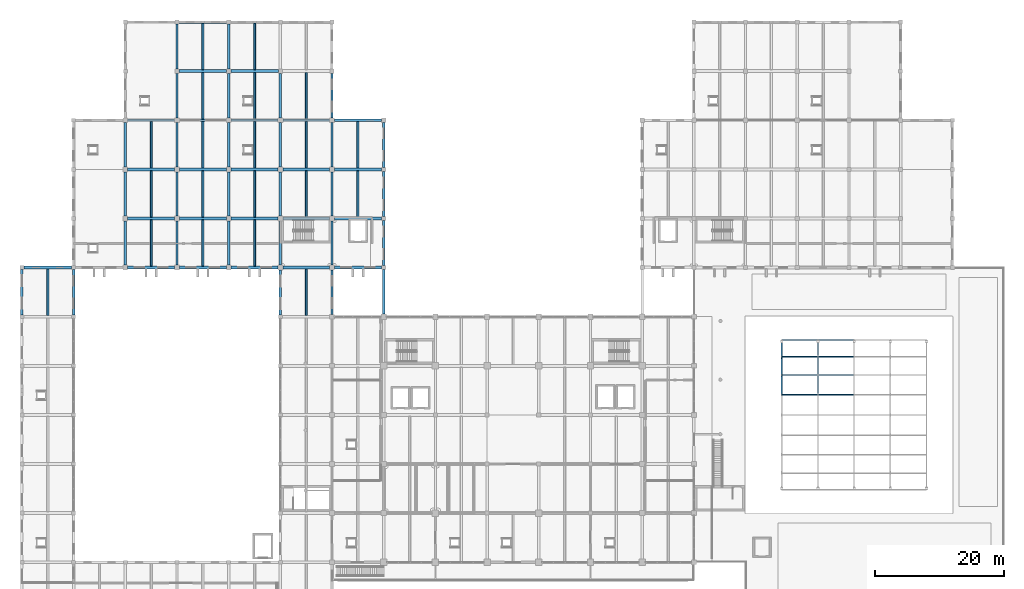
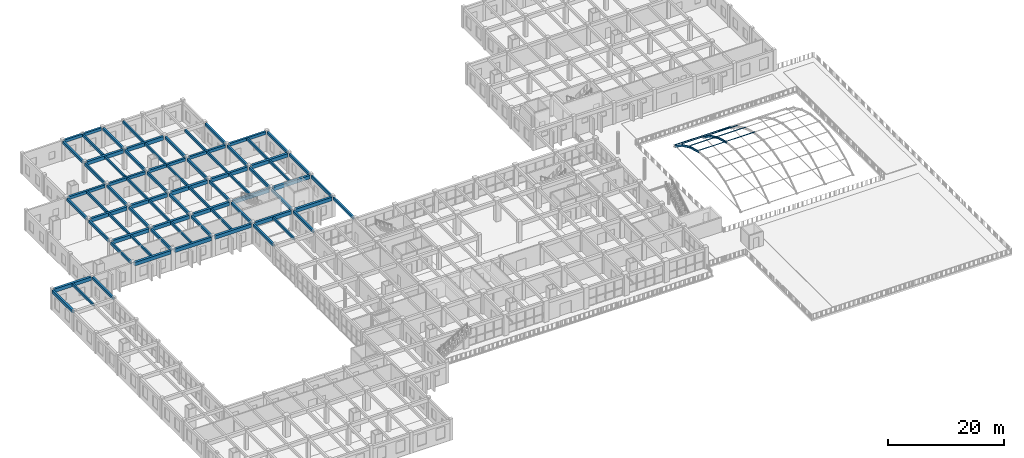
# One storey, part 39 of 79: 79 beams, 8 members.
"""IFC4 building model written with IfcOpenShell, lengths in metres."""

from ifc_helpers import new_model, si_unit, direction, frame, origin, origin_2d, place, context, subcontext, project, spatial, rectangle, hollow_rectangle, i_section, extrude, material, material_profile, profile_set, type_object, element, save


model = new_model("IFC4")

# Units and contexts
model_context = context("Model", 3, precision=1e-05, world=origin(), true_north=direction((0.0, 1.0)))
body_context = subcontext(model_context, "Body", "Model", "MODEL_VIEW")
ifc_project = project(units=[si_unit("LENGTHUNIT", "METRE"), si_unit("AREAUNIT", "SQUARE_METRE"), si_unit("VOLUMEUNIT", "CUBIC_METRE"), si_unit("PLANEANGLEUNIT", "RADIAN"), si_unit("MASSUNIT", "GRAM", prefix="KILO")], contexts=[model_context])

# Site, building, storey
site_placement = place(None, origin())
site = spatial("IfcSite", under=ifc_project, at=site_placement, CompositionType="ELEMENT")
building_placement = place(site_placement, origin())
building = spatial("IfcBuilding", under=site, at=building_placement, Name="Zantavel Square City Hall", CompositionType="ELEMENT")
storey_placement = place(building_placement, frame((0.0, 0.0, 10.199951171875)))
storey = spatial("IfcBuildingStorey", under=building, at=storey_placement, Name="L03", CompositionType="ELEMENT", Elevation=10.199951171875)

# Beams
ifc_material_1 = material(Name="Concrete C35/45", Category="concrete")
ifc_material_profile_1 = material_profile(ifc_material_1, rectangle(XDim=0.300048828125, YDim=0.5, at=origin_2d()), Name="RC 300x500")
ifc_profile_set_1 = profile_set([ifc_material_profile_1], Name="Concrete C35/45")
beam_type_1 = type_object("IfcBeamType", Name="Floor Joist RC 300x500 C35/45", PredefinedType="JOIST", material=ifc_profile_set_1)
for number, where, z_axis, x_axis, name in (
    (1, (12.0, 68.625, 3.969970703125), (0.0, 1.0, 0.0), (-1.0, 0.0, 0.0), "L03 Floor Joist JST-L03-0120-0684"),
    (2, (28.0, 76.22509765625, 3.969970703125), (0.0, 1.0, 0.0), (-1.0, 0.0, 0.0), "L03 Floor Joist JST-L03-0280-0760"),
):
    element("IfcBeam", number, at=place(storey_placement, frame(where, z_axis=z_axis, x_axis=x_axis)), inside=storey, type_object=beam_type_1, Name=name, PredefinedType="JOIST", context=body_context, shape_type="SweptSolid", body=[
        extrude(rectangle(XDim=0.300048828125, YDim=0.5, at=origin_2d()), origin(), (0.0, 0.0, 1.0), 7.14990234375),
    ])
beam_1_placement = place(storey_placement, frame((28.0, 83.824951171875, 3.969970703125), z_axis=(0.0, 1.0, 0.0), x_axis=(-1.0, 0.0, 0.0)))
element("IfcBeam", 3, at=beam_1_placement, inside=storey, type_object=beam_type_1, Name="L03 Floor Joist JST-L03-0280-0836", PredefinedType="JOIST", context=body_context, shape_type="SweptSolid", body=[
    extrude(rectangle(XDim=0.300048828125, YDim=0.5, at=origin_2d()), origin(), (0.0, 0.0, 1.0), 7.150146484375),
])
beam_2_placement = place(storey_placement, frame((28.0, 91.425048828125, 3.969970703125), z_axis=(0.0, 1.0, 0.0), x_axis=(-1.0, 0.0, 0.0)))
element("IfcBeam", 4, at=beam_2_placement, inside=storey, type_object=beam_type_1, Name="L03 Floor Joist JST-L03-0280-0912", PredefinedType="JOIST", context=body_context, shape_type="SweptSolid", body=[
    extrude(rectangle(XDim=0.300048828125, YDim=0.5, at=origin_2d()), origin(), (0.0, 0.0, 1.0), 7.175048828125),
])
beam_3_placement = place(storey_placement, frame((36.0, 76.22509765625, 3.969970703125), z_axis=(0.0, 1.0, 0.0), x_axis=(-1.0, 0.0, 0.0)))
element("IfcBeam", 5, at=beam_3_placement, inside=storey, type_object=beam_type_1, Name="L03 Floor Joist JST-L03-0360-0760", PredefinedType="JOIST", context=body_context, shape_type="SweptSolid", body=[
    extrude(rectangle(XDim=0.300048828125, YDim=0.5, at=origin_2d()), origin(), (0.0, 0.0, 1.0), 7.14990234375),
])
beam_4_placement = place(storey_placement, frame((36.0, 83.824951171875, 3.969970703125), z_axis=(0.0, 1.0, 0.0), x_axis=(-1.0, 0.0, 0.0)))
element("IfcBeam", 6, at=beam_4_placement, inside=storey, type_object=beam_type_1, Name="L03 Floor Joist JST-L03-0360-0836", PredefinedType="JOIST", context=body_context, shape_type="SweptSolid", body=[
    extrude(rectangle(XDim=0.300048828125, YDim=0.5, at=origin_2d()), origin(), (0.0, 0.0, 1.0), 7.150146484375),
])
for number, where, z_axis, x_axis, name in (
    (7, (36.0, 91.425048828125, 3.969970703125), (0.0, 1.0, 0.0), (-1.0, 0.0, 0.0), "L03 Floor Joist JST-L03-0360-0912"),
    (8, (36.0, 99.0, 3.969970703125), (0.0, 1.0, 0.0), (-1.0, 0.0, 0.0), "L03 Floor Joist JST-L03-0360-0988"),
    (9, (36.0, 106.625, 3.969970703125), (0.0, 1.0, 0.0), (-1.0, 0.0, 0.0), "L03 Floor Joist JST-L03-0360-1064"),
):
    element("IfcBeam", number, at=place(storey_placement, frame(where, z_axis=z_axis, x_axis=x_axis)), inside=storey, type_object=beam_type_1, Name=name, PredefinedType="JOIST", context=body_context, shape_type="SweptSolid", body=[
        extrude(rectangle(XDim=0.300048828125, YDim=0.5, at=origin_2d()), origin(), (0.0, 0.0, 1.0), 7.175048828125),
    ])
beam_5_placement = place(storey_placement, frame((44.0, 76.22509765625, 3.969970703125), z_axis=(0.0, 1.0, 0.0), x_axis=(-1.0, 0.0, 0.0)))
element("IfcBeam", 10, at=beam_5_placement, inside=storey, type_object=beam_type_1, Name="L03 Floor Joist JST-L03-0440-0760", PredefinedType="JOIST", context=body_context, shape_type="SweptSolid", body=[
    extrude(rectangle(XDim=0.300048828125, YDim=0.5, at=origin_2d()), origin(), (0.0, 0.0, 1.0), 7.14990234375),
])
beam_6_placement = place(storey_placement, frame((44.0, 83.824951171875, 3.969970703125), z_axis=(0.0, 1.0, 0.0), x_axis=(-1.0, 0.0, 0.0)))
element("IfcBeam", 11, at=beam_6_placement, inside=storey, type_object=beam_type_1, Name="L03 Floor Joist JST-L03-0440-0836", PredefinedType="JOIST", context=body_context, shape_type="SweptSolid", body=[
    extrude(rectangle(XDim=0.300048828125, YDim=0.5, at=origin_2d()), origin(), (0.0, 0.0, 1.0), 7.150146484375),
])
for number, where, z_axis, x_axis, name in (
    (12, (44.0, 91.425048828125, 3.969970703125), (0.0, 1.0, 0.0), (-1.0, 0.0, 0.0), "L03 Floor Joist JST-L03-0440-0912"),
    (13, (44.0, 99.0, 3.969970703125), (0.0, 1.0, 0.0), (-1.0, 0.0, 0.0), "L03 Floor Joist JST-L03-0440-0988"),
    (14, (44.0, 106.625, 3.969970703125), (0.0, 1.0, 0.0), (-1.0, 0.0, 0.0), "L03 Floor Joist JST-L03-0440-1064"),
):
    element("IfcBeam", number, at=place(storey_placement, frame(where, z_axis=z_axis, x_axis=x_axis)), inside=storey, type_object=beam_type_1, Name=name, PredefinedType="JOIST", context=body_context, shape_type="SweptSolid", body=[
        extrude(rectangle(XDim=0.300048828125, YDim=0.5, at=origin_2d()), origin(), (0.0, 0.0, 1.0), 7.175048828125),
    ])
beam_7_placement = place(storey_placement, frame((52.0, 68.625, 3.969970703125), z_axis=(0.0, 1.0, 0.0), x_axis=(-1.0, 0.0, 0.0)))
element("IfcBeam", 15, at=beam_7_placement, inside=storey, type_object=beam_type_1, Name="L03 Floor Joist JST-L03-0520-0684", PredefinedType="JOIST", context=body_context, shape_type="SweptSolid", body=[
    extrude(rectangle(XDim=0.300048828125, YDim=0.5, at=origin_2d()), origin(), (0.0, 0.0, 1.0), 7.14990234375),
])
beam_8_placement = place(storey_placement, frame((52.0, 83.824951171875, 3.969970703125), z_axis=(0.0, 1.0, 0.0), x_axis=(-1.0, 0.0, 0.0)))
element("IfcBeam", 16, at=beam_8_placement, inside=storey, type_object=beam_type_1, Name="L03 Floor Joist JST-L03-0520-0836", PredefinedType="JOIST", context=body_context, shape_type="SweptSolid", body=[
    extrude(rectangle(XDim=0.300048828125, YDim=0.5, at=origin_2d()), origin(), (0.0, 0.0, 1.0), 7.150146484375),
])
for number, where, z_axis, x_axis, name in (
    (17, (52.0, 91.425048828125, 3.969970703125), (0.0, 1.0, 0.0), (-1.0, 0.0, 0.0), "L03 Floor Joist JST-L03-0520-0912"),
    (18, (52.0, 99.0, 3.969970703125), (0.0, 1.0, 0.0), (-1.0, 0.0, 0.0), "L03 Floor Joist JST-L03-0520-0988"),
):
    element("IfcBeam", number, at=place(storey_placement, frame(where, z_axis=z_axis, x_axis=x_axis)), inside=storey, type_object=beam_type_1, Name=name, PredefinedType="JOIST", context=body_context, shape_type="SweptSolid", body=[
        extrude(rectangle(XDim=0.300048828125, YDim=0.5, at=origin_2d()), origin(), (0.0, 0.0, 1.0), 7.175048828125),
    ])
beam_9_placement = place(storey_placement, frame((60.0, 83.824951171875, 3.969970703125), z_axis=(0.0, 1.0, 0.0), x_axis=(-1.0, 0.0, 0.0)))
element("IfcBeam", 19, at=beam_9_placement, inside=storey, type_object=beam_type_1, Name="L03 Floor Joist JST-L03-0600-0836", PredefinedType="JOIST", context=body_context, shape_type="SweptSolid", body=[
    extrude(rectangle(XDim=0.300048828125, YDim=0.5, at=origin_2d()), origin(), (0.0, 0.0, 1.0), 7.150146484375),
])
beam_10_placement = place(storey_placement, frame((60.0, 91.425048828125, 3.969970703125), z_axis=(0.0, 1.0, 0.0), x_axis=(-1.0, 0.0, 0.0)))
element("IfcBeam", 20, at=beam_10_placement, inside=storey, type_object=beam_type_1, Name="L03 Floor Joist JST-L03-0600-0912", PredefinedType="JOIST", context=body_context, shape_type="SweptSolid", body=[
    extrude(rectangle(XDim=0.300048828125, YDim=0.5, at=origin_2d()), origin(), (0.0, 0.0, 1.0), 7.175048828125),
])
ifc_material_profile_2 = material_profile(ifc_material_1, rectangle(XDim=0.39990234375, YDim=0.60009765625, at=origin_2d()), Name="RC 400x600")
ifc_profile_set_2 = profile_set([ifc_material_profile_2], Name="Concrete C35/45")
beam_type_2 = type_object("IfcBeamType", Name="Perimeter Spandrel RC 400x600 C35/45", PredefinedType="SPANDREL", material=ifc_profile_set_2)
beam_11_placement = place(storey_placement, frame((8.0, 68.699951171875, 3.920166015625), z_axis=(0.0, 1.0, 0.0), x_axis=(-1.0, 0.0, 0.0)))
element("IfcBeam", 21, at=beam_11_placement, inside=storey, type_object=beam_type_2, Name="L03 Beam BMY-L03-0080-0684", PredefinedType="SPANDREL", context=body_context, shape_type="SweptSolid", body=[
    extrude(rectangle(XDim=0.39990234375, YDim=0.60009765625, at=origin_2d()), origin(), (0.0, 0.0, 1.0), 7.0),
])
for number, where, z_axis, x_axis, name in (
    (22, (24.375, 98.800048828125, 3.920166015625), (1.0, 0.0, 0.0), (0.0, 1.0, 0.0), "L03 Girder BMX-L03-0240-0988"),
    (23, (32.375, 98.800048828125, 3.920166015625), (1.0, 0.0, 0.0), (0.0, 1.0, 0.0), "L03 Girder BMX-L03-0320-0988"),
):
    element("IfcBeam", number, at=place(storey_placement, frame(where, z_axis=z_axis, x_axis=x_axis)), inside=storey, type_object=beam_type_2, Name=name, PredefinedType="SPANDREL", context=body_context, shape_type="SweptSolid", body=[
        extrude(rectangle(XDim=0.39990234375, YDim=0.60009765625, at=origin_2d()), origin(), (0.0, 0.0, 1.0), 7.25),
    ])
beam_12_placement = place(storey_placement, frame((32.324951171875, 114.0, 3.920166015625), z_axis=(1.0, 0.0, 0.0), x_axis=(0.0, 1.0, 0.0)))
element("IfcBeam", 24, at=beam_12_placement, inside=storey, type_object=beam_type_2, Name="L03 Girder BMX-L03-0320-1140", PredefinedType="SPANDREL", context=body_context, shape_type="SweptSolid", body=[
    extrude(rectangle(XDim=0.39990234375, YDim=0.60009765625, at=origin_2d()), origin(), (0.0, 0.0, 1.0), 7.35009765625),
])
for number, where, z_axis, x_axis, name in (
    (25, (40.375, 98.800048828125, 3.920166015625), (1.0, 0.0, 0.0), (0.0, 1.0, 0.0), "L03 Girder BMX-L03-0400-0988"),
    (26, (48.375, 98.800048828125, 3.920166015625), (1.0, 0.0, 0.0), (0.0, 1.0, 0.0), "L03 Girder BMX-L03-0480-0988"),
):
    element("IfcBeam", number, at=place(storey_placement, frame(where, z_axis=z_axis, x_axis=x_axis)), inside=storey, type_object=beam_type_2, Name=name, PredefinedType="SPANDREL", context=body_context, shape_type="SweptSolid", body=[
        extrude(rectangle(XDim=0.39990234375, YDim=0.60009765625, at=origin_2d()), origin(), (0.0, 0.0, 1.0), 7.25),
    ])
beam_13_placement = place(storey_placement, frame((56.375, 98.800048828125, 3.920166015625), z_axis=(1.0, 0.0, 0.0), x_axis=(0.0, 1.0, 0.0)))
element("IfcBeam", 27, at=beam_13_placement, inside=storey, type_object=beam_type_2, Name="L03 Girder BMX-L03-0560-0988", PredefinedType="SPANDREL", context=body_context, shape_type="SweptSolid", body=[
    extrude(rectangle(XDim=0.39990234375, YDim=0.60009765625, at=origin_2d()), origin(), (0.0, 0.0, 1.0), 7.300048828125),
])
ifc_material_profile_3 = material_profile(ifc_material_1, rectangle(XDim=0.449951171875, YDim=0.75, at=origin_2d()), Name="RC 450x750")
ifc_profile_set_3 = profile_set([ifc_material_profile_3], Name="Concrete C35/45")
beam_type_3 = type_object("IfcBeamType", Name="Primary Girder RC 450x750 C35/45", PredefinedType="BEAM", material=ifc_profile_set_3)
beam_14_placement = place(storey_placement, frame((8.300048828125, 76.0, 3.844970703125), z_axis=(1.0, 0.0, 0.0), x_axis=(0.0, 1.0, 0.0)))
element("IfcBeam", 28, at=beam_14_placement, inside=storey, type_object=beam_type_3, Name="L03 Girder BMX-L03-0080-0760", PredefinedType="BEAM", context=body_context, shape_type="SweptSolid", body=[
    extrude(rectangle(XDim=0.449951171875, YDim=0.75, at=origin_2d()), origin(), (0.0, 0.0, 1.0), 7.39990234375),
])
for number, where, z_axis, x_axis, name in (
    (29, (24.375, 76.0, 3.844970703125), (1.0, 0.0, 0.0), (0.0, 1.0, 0.0), "L03 Girder BMX-L03-0240-0760"),
    (30, (24.375, 83.60009765625, 3.844970703125), (1.0, 0.0, 0.0), (0.0, 1.0, 0.0), "L03 Girder BMX-L03-0240-0836"),
    (31, (24.375, 91.199951171875, 3.844970703125), (1.0, 0.0, 0.0), (0.0, 1.0, 0.0), "L03 Girder BMX-L03-0240-0912"),
    (32, (32.375, 76.0, 3.844970703125), (1.0, 0.0, 0.0), (0.0, 1.0, 0.0), "L03 Girder BMX-L03-0320-0760"),
    (33, (32.375, 83.60009765625, 3.844970703125), (1.0, 0.0, 0.0), (0.0, 1.0, 0.0), "L03 Girder BMX-L03-0320-0836"),
    (34, (32.375, 91.199951171875, 3.844970703125), (1.0, 0.0, 0.0), (0.0, 1.0, 0.0), "L03 Girder BMX-L03-0320-0912"),
):
    element("IfcBeam", number, at=place(storey_placement, frame(where, z_axis=z_axis, x_axis=x_axis)), inside=storey, type_object=beam_type_3, Name=name, PredefinedType="BEAM", context=body_context, shape_type="SweptSolid", body=[
        extrude(rectangle(XDim=0.449951171875, YDim=0.75, at=origin_2d()), origin(), (0.0, 0.0, 1.0), 7.25),
    ])
beam_15_placement = place(storey_placement, frame((32.324951171875, 106.39990234375, 3.844970703125), z_axis=(1.0, 0.0, 0.0), x_axis=(0.0, 1.0, 0.0)))
element("IfcBeam", 35, at=beam_15_placement, inside=storey, type_object=beam_type_3, Name="L03 Girder BMX-L03-0320-1064", PredefinedType="BEAM", context=body_context, shape_type="SweptSolid", body=[
    extrude(rectangle(XDim=0.449951171875, YDim=0.75, at=origin_2d()), origin(), (0.0, 0.0, 1.0), 7.35009765625),
])
for number, where, z_axis, x_axis, name in (
    (36, (40.375, 76.0, 3.844970703125), (1.0, 0.0, 0.0), (0.0, 1.0, 0.0), "L03 Girder BMX-L03-0400-0760"),
    (37, (40.375, 83.60009765625, 3.844970703125), (1.0, 0.0, 0.0), (0.0, 1.0, 0.0), "L03 Girder BMX-L03-0400-0836"),
    (38, (40.375, 91.199951171875, 3.844970703125), (1.0, 0.0, 0.0), (0.0, 1.0, 0.0), "L03 Girder BMX-L03-0400-0912"),
):
    element("IfcBeam", number, at=place(storey_placement, frame(where, z_axis=z_axis, x_axis=x_axis)), inside=storey, type_object=beam_type_3, Name=name, PredefinedType="BEAM", context=body_context, shape_type="SweptSolid", body=[
        extrude(rectangle(XDim=0.449951171875, YDim=0.75, at=origin_2d()), origin(), (0.0, 0.0, 1.0), 7.25),
    ])
beam_16_placement = place(storey_placement, frame((40.324951171875, 106.39990234375, 3.844970703125), z_axis=(1.0, 0.0, 0.0), x_axis=(0.0, 1.0, 0.0)))
element("IfcBeam", 39, at=beam_16_placement, inside=storey, type_object=beam_type_3, Name="L03 Girder BMX-L03-0400-1064", PredefinedType="BEAM", context=body_context, shape_type="SweptSolid", body=[
    extrude(rectangle(XDim=0.449951171875, YDim=0.75, at=origin_2d()), origin(), (0.0, 0.0, 1.0), 7.35009765625),
])
for number, where, z_axis, x_axis, name in (
    (40, (48.375, 76.0, 3.844970703125), (1.0, 0.0, 0.0), (0.0, 1.0, 0.0), "L03 Girder BMX-L03-0480-0760"),
    (41, (48.375, 83.60009765625, 3.844970703125), (1.0, 0.0, 0.0), (0.0, 1.0, 0.0), "L03 Girder BMX-L03-0480-0836"),
    (42, (48.375, 91.199951171875, 3.844970703125), (1.0, 0.0, 0.0), (0.0, 1.0, 0.0), "L03 Girder BMX-L03-0480-0912"),
):
    element("IfcBeam", number, at=place(storey_placement, frame(where, z_axis=z_axis, x_axis=x_axis)), inside=storey, type_object=beam_type_3, Name=name, PredefinedType="BEAM", context=body_context, shape_type="SweptSolid", body=[
        extrude(rectangle(XDim=0.449951171875, YDim=0.75, at=origin_2d()), origin(), (0.0, 0.0, 1.0), 7.25),
    ])
for number, where, z_axis, x_axis, name in (
    (43, (56.375, 76.0, 3.844970703125), (1.0, 0.0, 0.0), (0.0, 1.0, 0.0), "L03 Girder BMX-L03-0560-0760"),
    (44, (56.375, 83.60009765625, 3.844970703125), (1.0, 0.0, 0.0), (0.0, 1.0, 0.0), "L03 Girder BMX-L03-0560-0836"),
    (45, (56.375, 91.199951171875, 3.844970703125), (1.0, 0.0, 0.0), (0.0, 1.0, 0.0), "L03 Girder BMX-L03-0560-0912"),
):
    element("IfcBeam", number, at=place(storey_placement, frame(where, z_axis=z_axis, x_axis=x_axis)), inside=storey, type_object=beam_type_3, Name=name, PredefinedType="BEAM", context=body_context, shape_type="SweptSolid", body=[
        extrude(rectangle(XDim=0.449951171875, YDim=0.75, at=origin_2d()), origin(), (0.0, 0.0, 1.0), 7.300048828125),
    ])
ifc_material_profile_4 = material_profile(ifc_material_1, rectangle(XDim=0.35009765625, YDim=0.550048828125, at=origin_2d()), Name="RC 350x550")
ifc_profile_set_4 = profile_set([ifc_material_profile_4], Name="Concrete C35/45")
beam_type_4 = type_object("IfcBeamType", Name="Secondary Beam RC 350x550 C35/45", PredefinedType="BEAM", material=ifc_profile_set_4)
beam_17_placement = place(storey_placement, frame((16.0, 68.699951171875, 3.945068359375), z_axis=(0.0, 1.0, 0.0), x_axis=(-1.0, 0.0, 0.0)))
element("IfcBeam", 46, at=beam_17_placement, inside=storey, type_object=beam_type_4, Name="L03 Beam BMY-L03-0160-0684", PredefinedType="BEAM", context=body_context, shape_type="SweptSolid", body=[
    extrude(rectangle(XDim=0.35009765625, YDim=0.550048828125, at=origin_2d()), origin(), (0.0, 0.0, 1.0), 7.0),
])
beam_18_placement = place(storey_placement, frame((24.0, 76.375, 3.945068359375), z_axis=(0.0, 1.0, 0.0), x_axis=(-1.0, 0.0, 0.0)))
element("IfcBeam", 47, at=beam_18_placement, inside=storey, type_object=beam_type_4, Name="L03 Beam BMY-L03-0240-0760", PredefinedType="BEAM", context=body_context, shape_type="SweptSolid", body=[
    extrude(rectangle(XDim=0.35009765625, YDim=0.550048828125, at=origin_2d()), origin(), (0.0, 0.0, 1.0), 6.85009765625),
])
beam_19_placement = place(storey_placement, frame((24.0, 83.97509765625, 3.945068359375), z_axis=(0.0, 1.0, 0.0), x_axis=(-1.0, 0.0, 0.0)))
element("IfcBeam", 48, at=beam_19_placement, inside=storey, type_object=beam_type_4, Name="L03 Beam BMY-L03-0240-0836", PredefinedType="BEAM", context=body_context, shape_type="SweptSolid", body=[
    extrude(rectangle(XDim=0.35009765625, YDim=0.550048828125, at=origin_2d()), origin(), (0.0, 0.0, 1.0), 6.849853515625),
])
for number, where, z_axis, x_axis, name in (
    (49, (24.0, 91.574951171875, 3.945068359375), (0.0, 1.0, 0.0), (-1.0, 0.0, 0.0), "L03 Beam BMY-L03-0240-0912"),
    (50, (32.0, 76.375, 3.945068359375), (0.0, 1.0, 0.0), (-1.0, 0.0, 0.0), "L03 Beam BMY-L03-0320-0760"),
):
    element("IfcBeam", number, at=place(storey_placement, frame(where, z_axis=z_axis, x_axis=x_axis)), inside=storey, type_object=beam_type_4, Name=name, PredefinedType="BEAM", context=body_context, shape_type="SweptSolid", body=[
        extrude(rectangle(XDim=0.35009765625, YDim=0.550048828125, at=origin_2d()), origin(), (0.0, 0.0, 1.0), 6.85009765625),
    ])
beam_20_placement = place(storey_placement, frame((32.0, 83.97509765625, 3.945068359375), z_axis=(0.0, 1.0, 0.0), x_axis=(-1.0, 0.0, 0.0)))
element("IfcBeam", 51, at=beam_20_placement, inside=storey, type_object=beam_type_4, Name="L03 Beam BMY-L03-0320-0836", PredefinedType="BEAM", context=body_context, shape_type="SweptSolid", body=[
    extrude(rectangle(XDim=0.35009765625, YDim=0.550048828125, at=origin_2d()), origin(), (0.0, 0.0, 1.0), 6.849853515625),
])
beam_21_placement = place(storey_placement, frame((32.0, 91.574951171875, 3.945068359375), z_axis=(0.0, 1.0, 0.0), x_axis=(-1.0, 0.0, 0.0)))
element("IfcBeam", 52, at=beam_21_placement, inside=storey, type_object=beam_type_4, Name="L03 Beam BMY-L03-0320-0912", PredefinedType="BEAM", context=body_context, shape_type="SweptSolid", body=[
    extrude(rectangle(XDim=0.35009765625, YDim=0.550048828125, at=origin_2d()), origin(), (0.0, 0.0, 1.0), 6.85009765625),
])
beam_22_placement = place(storey_placement, frame((32.0, 99.175048828125, 3.945068359375), z_axis=(0.0, 1.0, 0.0), x_axis=(-1.0, 0.0, 0.0)))
element("IfcBeam", 53, at=beam_22_placement, inside=storey, type_object=beam_type_4, Name="L03 Beam BMY-L03-0320-0988", PredefinedType="BEAM", context=body_context, shape_type="SweptSolid", body=[
    extrude(rectangle(XDim=0.35009765625, YDim=0.550048828125, at=origin_2d()), origin(), (0.0, 0.0, 1.0), 6.89990234375),
])
beam_23_placement = place(storey_placement, frame((32.0, 106.72509765625, 3.945068359375), z_axis=(0.0, 1.0, 0.0), x_axis=(-1.0, 0.0, 0.0)))
element("IfcBeam", 54, at=beam_23_placement, inside=storey, type_object=beam_type_4, Name="L03 Beam BMY-L03-0320-1064", PredefinedType="BEAM", context=body_context, shape_type="SweptSolid", body=[
    extrude(rectangle(XDim=0.35009765625, YDim=0.550048828125, at=origin_2d()), origin(), (0.0, 0.0, 1.0), 6.949951171875),
])
beam_24_placement = place(storey_placement, frame((40.0, 76.375, 3.945068359375), z_axis=(0.0, 1.0, 0.0), x_axis=(-1.0, 0.0, 0.0)))
element("IfcBeam", 55, at=beam_24_placement, inside=storey, type_object=beam_type_4, Name="L03 Beam BMY-L03-0400-0760", PredefinedType="BEAM", context=body_context, shape_type="SweptSolid", body=[
    extrude(rectangle(XDim=0.35009765625, YDim=0.550048828125, at=origin_2d()), origin(), (0.0, 0.0, 1.0), 6.85009765625),
])
beam_25_placement = place(storey_placement, frame((40.0, 83.97509765625, 3.945068359375), z_axis=(0.0, 1.0, 0.0), x_axis=(-1.0, 0.0, 0.0)))
element("IfcBeam", 56, at=beam_25_placement, inside=storey, type_object=beam_type_4, Name="L03 Beam BMY-L03-0400-0836", PredefinedType="BEAM", context=body_context, shape_type="SweptSolid", body=[
    extrude(rectangle(XDim=0.35009765625, YDim=0.550048828125, at=origin_2d()), origin(), (0.0, 0.0, 1.0), 6.849853515625),
])
beam_26_placement = place(storey_placement, frame((40.0, 91.574951171875, 3.945068359375), z_axis=(0.0, 1.0, 0.0), x_axis=(-1.0, 0.0, 0.0)))
element("IfcBeam", 57, at=beam_26_placement, inside=storey, type_object=beam_type_4, Name="L03 Beam BMY-L03-0400-0912", PredefinedType="BEAM", context=body_context, shape_type="SweptSolid", body=[
    extrude(rectangle(XDim=0.35009765625, YDim=0.550048828125, at=origin_2d()), origin(), (0.0, 0.0, 1.0), 6.85009765625),
])
beam_27_placement = place(storey_placement, frame((40.0, 99.175048828125, 3.945068359375), z_axis=(0.0, 1.0, 0.0), x_axis=(-1.0, 0.0, 0.0)))
element("IfcBeam", 58, at=beam_27_placement, inside=storey, type_object=beam_type_4, Name="L03 Beam BMY-L03-0400-0988", PredefinedType="BEAM", context=body_context, shape_type="SweptSolid", body=[
    extrude(rectangle(XDim=0.35009765625, YDim=0.550048828125, at=origin_2d()), origin(), (0.0, 0.0, 1.0), 6.89990234375),
])
beam_28_placement = place(storey_placement, frame((40.0, 106.72509765625, 3.945068359375), z_axis=(0.0, 1.0, 0.0), x_axis=(-1.0, 0.0, 0.0)))
element("IfcBeam", 59, at=beam_28_placement, inside=storey, type_object=beam_type_4, Name="L03 Beam BMY-L03-0400-1064", PredefinedType="BEAM", context=body_context, shape_type="SweptSolid", body=[
    extrude(rectangle(XDim=0.35009765625, YDim=0.550048828125, at=origin_2d()), origin(), (0.0, 0.0, 1.0), 6.949951171875),
])
beam_29_placement = place(storey_placement, frame((48.0, 68.699951171875, 3.945068359375), z_axis=(0.0, 1.0, 0.0), x_axis=(-1.0, 0.0, 0.0)))
element("IfcBeam", 60, at=beam_29_placement, inside=storey, type_object=beam_type_4, Name="L03 Beam BMY-L03-0480-0684", PredefinedType="BEAM", context=body_context, shape_type="SweptSolid", body=[
    extrude(rectangle(XDim=0.35009765625, YDim=0.550048828125, at=origin_2d()), origin(), (0.0, 0.0, 1.0), 6.925048828125),
])
beam_30_placement = place(storey_placement, frame((48.0, 76.375, 3.945068359375), z_axis=(0.0, 1.0, 0.0), x_axis=(-1.0, 0.0, 0.0)))
element("IfcBeam", 61, at=beam_30_placement, inside=storey, type_object=beam_type_4, Name="L03 Beam BMY-L03-0480-0760", PredefinedType="BEAM", context=body_context, shape_type="SweptSolid", body=[
    extrude(rectangle(XDim=0.35009765625, YDim=0.550048828125, at=origin_2d()), origin(), (0.0, 0.0, 1.0), 6.85009765625),
])
beam_31_placement = place(storey_placement, frame((48.0, 83.97509765625, 3.945068359375), z_axis=(0.0, 1.0, 0.0), x_axis=(-1.0, 0.0, 0.0)))
element("IfcBeam", 62, at=beam_31_placement, inside=storey, type_object=beam_type_4, Name="L03 Beam BMY-L03-0480-0836", PredefinedType="BEAM", context=body_context, shape_type="SweptSolid", body=[
    extrude(rectangle(XDim=0.35009765625, YDim=0.550048828125, at=origin_2d()), origin(), (0.0, 0.0, 1.0), 6.849853515625),
])
beam_32_placement = place(storey_placement, frame((48.0, 91.574951171875, 3.945068359375), z_axis=(0.0, 1.0, 0.0), x_axis=(-1.0, 0.0, 0.0)))
element("IfcBeam", 63, at=beam_32_placement, inside=storey, type_object=beam_type_4, Name="L03 Beam BMY-L03-0480-0912", PredefinedType="BEAM", context=body_context, shape_type="SweptSolid", body=[
    extrude(rectangle(XDim=0.35009765625, YDim=0.550048828125, at=origin_2d()), origin(), (0.0, 0.0, 1.0), 6.85009765625),
])
beam_33_placement = place(storey_placement, frame((48.0, 99.175048828125, 3.945068359375), z_axis=(0.0, 1.0, 0.0), x_axis=(-1.0, 0.0, 0.0)))
element("IfcBeam", 64, at=beam_33_placement, inside=storey, type_object=beam_type_4, Name="L03 Beam BMY-L03-0480-0988", PredefinedType="BEAM", context=body_context, shape_type="SweptSolid", body=[
    extrude(rectangle(XDim=0.35009765625, YDim=0.550048828125, at=origin_2d()), origin(), (0.0, 0.0, 1.0), 6.89990234375),
])
for number, where, z_axis, x_axis, name in (
    (65, (56.0, 68.77490234375, 3.945068359375), (0.0, 1.0, 0.0), (-1.0, 0.0, 0.0), "L03 Beam BMY-L03-0560-0684"),
    (66, (56.0, 76.375, 3.945068359375), (0.0, 1.0, 0.0), (-1.0, 0.0, 0.0), "L03 Beam BMY-L03-0560-0760"),
):
    element("IfcBeam", number, at=place(storey_placement, frame(where, z_axis=z_axis, x_axis=x_axis)), inside=storey, type_object=beam_type_4, Name=name, PredefinedType="BEAM", context=body_context, shape_type="SweptSolid", body=[
        extrude(rectangle(XDim=0.35009765625, YDim=0.550048828125, at=origin_2d()), origin(), (0.0, 0.0, 1.0), 6.85009765625),
    ])
beam_34_placement = place(storey_placement, frame((56.0, 83.97509765625, 3.945068359375), z_axis=(0.0, 1.0, 0.0), x_axis=(-1.0, 0.0, 0.0)))
element("IfcBeam", 67, at=beam_34_placement, inside=storey, type_object=beam_type_4, Name="L03 Beam BMY-L03-0560-0836", PredefinedType="BEAM", context=body_context, shape_type="SweptSolid", body=[
    extrude(rectangle(XDim=0.35009765625, YDim=0.550048828125, at=origin_2d()), origin(), (0.0, 0.0, 1.0), 6.849853515625),
])
beam_35_placement = place(storey_placement, frame((56.0, 91.574951171875, 3.945068359375), z_axis=(0.0, 1.0, 0.0), x_axis=(-1.0, 0.0, 0.0)))
element("IfcBeam", 68, at=beam_35_placement, inside=storey, type_object=beam_type_4, Name="L03 Beam BMY-L03-0560-0912", PredefinedType="BEAM", context=body_context, shape_type="SweptSolid", body=[
    extrude(rectangle(XDim=0.35009765625, YDim=0.550048828125, at=origin_2d()), origin(), (0.0, 0.0, 1.0), 6.85009765625),
])
beam_36_placement = place(storey_placement, frame((56.0, 99.175048828125, 3.945068359375), z_axis=(0.0, 1.0, 0.0), x_axis=(-1.0, 0.0, 0.0)))
element("IfcBeam", 69, at=beam_36_placement, inside=storey, type_object=beam_type_4, Name="L03 Beam BMY-L03-0560-0988", PredefinedType="BEAM", context=body_context, shape_type="SweptSolid", body=[
    extrude(rectangle(XDim=0.35009765625, YDim=0.550048828125, at=origin_2d()), origin(), (0.0, 0.0, 1.0), 6.89990234375),
])
beam_37_placement = place(storey_placement, frame((64.0, 68.800048828125, 3.945068359375), z_axis=(0.0, 1.0, 0.0), x_axis=(-1.0, 0.0, 0.0)))
element("IfcBeam", 70, at=beam_37_placement, inside=storey, type_object=beam_type_4, Name="L03 Beam BMY-L03-0640-0684", PredefinedType="BEAM", context=body_context, shape_type="SweptSolid", body=[
    extrude(rectangle(XDim=0.35009765625, YDim=0.550048828125, at=origin_2d()), origin(), (0.0, 0.0, 1.0), 6.875),
])
for number, where, z_axis, x_axis, name in (
    (71, (64.0, 76.324951171875, 3.945068359375), (0.0, 1.0, 0.0), (-1.0, 0.0, 0.0), "L03 Beam BMY-L03-0640-0760"),
    (72, (64.0, 83.925048828125, 3.945068359375), (0.0, 1.0, 0.0), (-1.0, 0.0, 0.0), "L03 Beam BMY-L03-0640-0836"),
):
    element("IfcBeam", number, at=place(storey_placement, frame(where, z_axis=z_axis, x_axis=x_axis)), inside=storey, type_object=beam_type_4, Name=name, PredefinedType="BEAM", context=body_context, shape_type="SweptSolid", body=[
        extrude(rectangle(XDim=0.35009765625, YDim=0.550048828125, at=origin_2d()), origin(), (0.0, 0.0, 1.0), 6.949951171875),
    ])
beam_38_placement = place(storey_placement, frame((64.0, 91.52490234375, 3.945068359375), z_axis=(0.0, 1.0, 0.0), x_axis=(-1.0, 0.0, 0.0)))
element("IfcBeam", 73, at=beam_38_placement, inside=storey, type_object=beam_type_4, Name="L03 Beam BMY-L03-0640-0912", PredefinedType="BEAM", context=body_context, shape_type="SweptSolid", body=[
    extrude(rectangle(XDim=0.35009765625, YDim=0.550048828125, at=origin_2d()), origin(), (0.0, 0.0, 1.0), 6.9501953125),
])
ifc_material_2 = material(Name="Steel ASTM A992 Grade 50", Category="steel")
ifc_material_profile_5 = material_profile(ifc_material_2, i_section(OverallWidth=0.178955078125, OverallDepth=0.409912109375, WebThickness=0.0087890625, FlangeThickness=0.014404296875, at=origin_2d()), Name="W410x67")
ifc_profile_set_5 = profile_set([ifc_material_profile_5], Name="Steel ASTM A992 Grade 50")
beam_type_5 = type_object("IfcBeamType", Name="Skylight End Rib W410x67", PredefinedType="BEAM", material=ifc_profile_set_5)
beam_39_placement = place(storey_placement, frame((125.60009765625, 56.28515625, 3.927001953125), z_axis=(0.0, 0.965168334926, -0.261629671972), x_axis=(-1.0, 0.0, 0.0)))
element("IfcBeam", 74, at=beam_39_placement, inside=storey, type_object=beam_type_5, Name="Skylight Rib 1 Chord 6", PredefinedType="BEAM", context=body_context, shape_type="SweptSolid", body=[
    extrude(i_section(OverallWidth=0.178955078125, OverallDepth=0.409912109375, WebThickness=0.0087890625, FlangeThickness=0.014404296875, at=origin_2d()), origin(), (0.0, 0.0, 1.0), 3.09716796875),
])
for number, where, z_axis, x_axis, name in (
    (75, (125.60009765625, 59.2744140625, 3.11669921875), (0.0, 0.904228356294, -0.427049270781), (-1.0, 0.0, 0.0), "Skylight Rib 1 Chord 7"),
    (76, (125.60009765625, 62.0751953125, 1.7939453125), (0.0, 0.815190202113, -0.57919334801), (-1.0, 0.0, 0.0), "Skylight Rib 1 Chord 8"),
):
    element("IfcBeam", number, at=place(storey_placement, frame(where, z_axis=z_axis, x_axis=x_axis)), inside=storey, type_object=beam_type_5, Name=name, PredefinedType="BEAM", context=body_context, shape_type="SweptSolid", body=[
        extrude(i_section(OverallWidth=0.178955078125, OverallDepth=0.409912109375, WebThickness=0.0087890625, FlangeThickness=0.014404296875, at=origin_2d()), origin(), (0.0, 0.0, 1.0), 3.097412109375),
    ])

# Members
ifc_material_3 = material(Name="Steel ASTM A500 Grade B", Category="steel")
ifc_material_profile_6 = material_profile(ifc_material_3, hollow_rectangle(XDim=0.10205078125, YDim=0.152099609375, WallThickness=0.008056640625, at=origin_2d()), Name="HSS 152x102x8.0")
ifc_profile_set_6 = profile_set([ifc_material_profile_6], Name="Steel ASTM A500 Grade B")
member_type = type_object("IfcMemberType", Name="Skylight HSS Purlin 152x102x8.0", PredefinedType="PURLIN", material=ifc_profile_set_6)
for number, where, z_axis, x_axis, name in (
    (77, (125.6201171875, 56.333740234375, 4.19970703125), (1.0, 0.0, 0.0), (0.0, 1.0, 0.0), "Skylight Bay 1 Purlin 6"),
    (78, (125.6201171875, 59.370361328125, 3.37646484375), (1.0, 0.0, 0.0), (0.0, 1.0, 0.0), "Skylight Bay 1 Purlin 7"),
    (79, (125.6201171875, 62.215087890625, 2.032958984375), (1.0, 0.0, 0.0), (0.0, 1.0, 0.0), "Skylight Bay 1 Purlin 8"),
    (80, (125.6201171875, 64.77978515625, 0.2109375), (1.0, 0.0, 0.0), (0.0, 1.0, 0.0), "Skylight Bay 1 Purlin 9"),
):
    element("IfcMember", number, at=place(storey_placement, frame(where, z_axis=z_axis, x_axis=x_axis)), inside=storey, type_object=member_type, Name=name, PredefinedType="PURLIN", context=body_context, shape_type="SweptSolid", body=[
        extrude(hollow_rectangle(XDim=0.10205078125, YDim=0.152099609375, WallThickness=0.008056640625, at=origin_2d()), origin(), (0.0, 0.0, 1.0), 5.559814453125),
    ])
for number, where, z_axis, x_axis, name in (
    (81, (131.219970703125, 56.333740234375, 4.19970703125), (1.0, 0.0, 0.0), (0.0, 1.0, 0.0), "Skylight Bay 2 Purlin 6"),
    (82, (131.219970703125, 59.370361328125, 3.37646484375), (1.0, 0.0, 0.0), (0.0, 1.0, 0.0), "Skylight Bay 2 Purlin 7"),
    (83, (131.219970703125, 62.215087890625, 2.032958984375), (1.0, 0.0, 0.0), (0.0, 1.0, 0.0), "Skylight Bay 2 Purlin 8"),
    (84, (131.219970703125, 64.77978515625, 0.2109375), (1.0, 0.0, 0.0), (0.0, 1.0, 0.0), "Skylight Bay 2 Purlin 9"),
):
    element("IfcMember", number, at=place(storey_placement, frame(where, z_axis=z_axis, x_axis=x_axis)), inside=storey, type_object=member_type, Name=name, PredefinedType="PURLIN", context=body_context, shape_type="SweptSolid", body=[
        extrude(hollow_rectangle(XDim=0.10205078125, YDim=0.152099609375, WallThickness=0.008056640625, at=origin_2d()), origin(), (0.0, 0.0, 1.0), 5.56005859375),
    ])

# Beams
ifc_material_profile_7 = material_profile(ifc_material_2, i_section(OverallWidth=0.177001953125, OverallDepth=0.403076171875, WebThickness=0.007568359375, FlangeThickness=0.010986328125, at=origin_2d()), Name="W410x53")
ifc_profile_set_7 = profile_set([ifc_material_profile_7], Name="Steel ASTM A992 Grade 50")
beam_type_6 = type_object("IfcBeamType", Name="Skylight Intermediate Rib W410x53", PredefinedType="BEAM", material=ifc_profile_set_7)
beam_40_placement = place(storey_placement, frame((131.199951171875, 56.28515625, 3.927001953125), z_axis=(0.0, 0.965168334926, -0.261629671972), x_axis=(-1.0, 0.0, 0.0)))
element("IfcBeam", 85, at=beam_40_placement, inside=storey, type_object=beam_type_6, Name="Skylight Rib 2 Chord 6", PredefinedType="BEAM", context=body_context, shape_type="SweptSolid", body=[
    extrude(i_section(OverallWidth=0.177001953125, OverallDepth=0.403076171875, WebThickness=0.007568359375, FlangeThickness=0.010986328125, at=origin_2d()), origin(), (0.0, 0.0, 1.0), 3.09716796875),
])
for number, where, z_axis, x_axis, name in (
    (86, (131.199951171875, 59.2744140625, 3.11669921875), (0.0, 0.904228356294, -0.427049270781), (-1.0, 0.0, 0.0), "Skylight Rib 2 Chord 7"),
    (87, (131.199951171875, 62.0751953125, 1.7939453125), (0.0, 0.815190202113, -0.57919334801), (-1.0, 0.0, 0.0), "Skylight Rib 2 Chord 8"),
):
    element("IfcBeam", number, at=place(storey_placement, frame(where, z_axis=z_axis, x_axis=x_axis)), inside=storey, type_object=beam_type_6, Name=name, PredefinedType="BEAM", context=body_context, shape_type="SweptSolid", body=[
        extrude(i_section(OverallWidth=0.177001953125, OverallDepth=0.403076171875, WebThickness=0.007568359375, FlangeThickness=0.010986328125, at=origin_2d()), origin(), (0.0, 0.0, 1.0), 3.097412109375),
    ])

save(model, "model.ifc")
